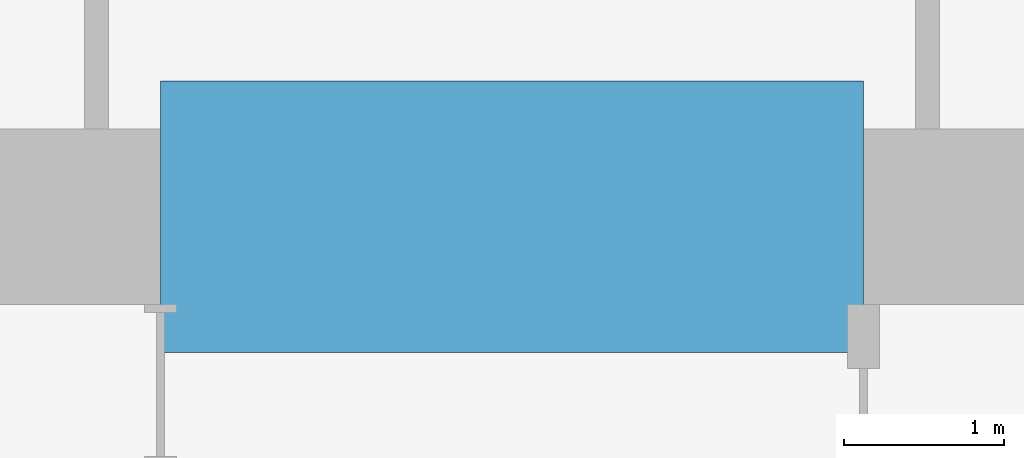
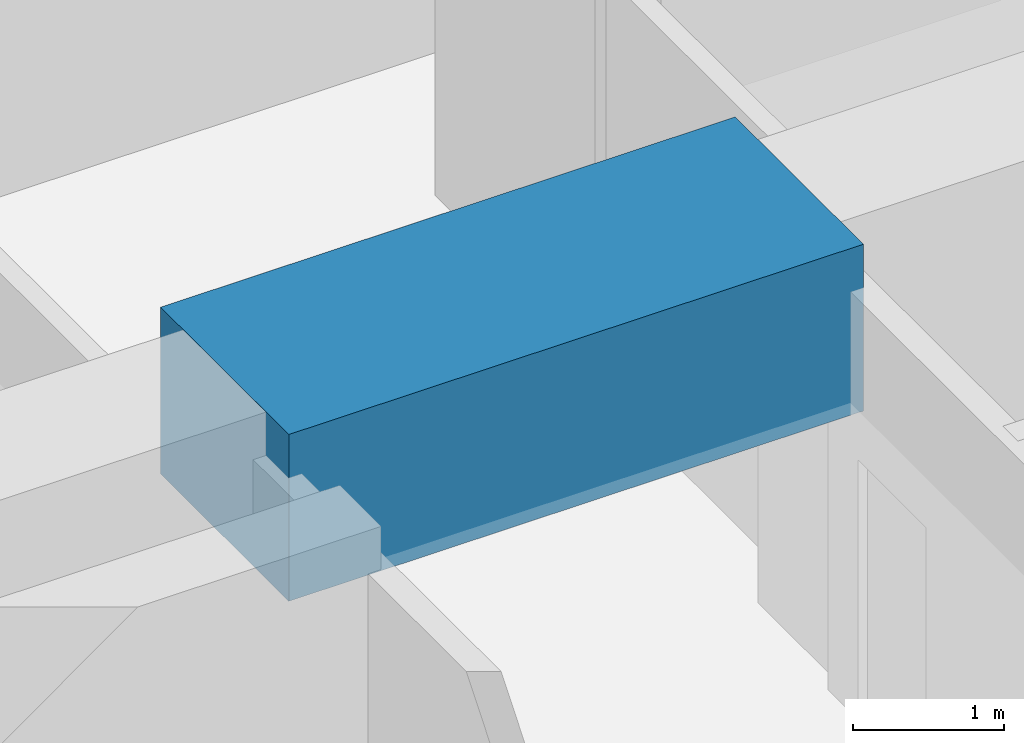
# One storey, part 19 of 44: 1 beam.
"""IFC4 building model written with IfcOpenShell, lengths in metres."""

from ifc_helpers import new_model, si_unit, direction, frame, origin, origin_2d, place, context, subcontext, project, spatial, rectangle, extrude, material, material_profile, profile_set, type_object, element, save


model = new_model("IFC4")

# Units and contexts
model_context = context("Model", 3, precision=1e-05, world=origin(), true_north=direction((0.0, 1.0)))
body_context = subcontext(model_context, "Body", "Model", "MODEL_VIEW")
ifc_project = project(units=[si_unit("LENGTHUNIT", "METRE"), si_unit("AREAUNIT", "SQUARE_METRE"), si_unit("VOLUMEUNIT", "CUBIC_METRE"), si_unit("PLANEANGLEUNIT", "RADIAN"), si_unit("MASSUNIT", "GRAM", prefix="KILO")], contexts=[model_context])

# Site, building, storey
site_placement = place(None, origin())
site = spatial("IfcSite", under=ifc_project, at=site_placement, CompositionType="ELEMENT")
building_placement = place(site_placement, origin())
building = spatial("IfcBuilding", under=site, at=building_placement, Name="Rekha Terrace Tower", CompositionType="ELEMENT")
storey_placement = place(building_placement, frame((0.0, 0.0, 81.64990234375)))
storey = spatial("IfcBuildingStorey", under=building, at=storey_placement, Name="L20", CompositionType="ELEMENT", Elevation=81.64990234375)

# Beam
ifc_material = material(Name="Concrete M70", Category="concrete")
ifc_material_profile = material_profile(ifc_material, rectangle(XDim=1.699951171875, YDim=1.35009765625, at=origin_2d()), Name="RC 1700x1350")
ifc_profile_set = profile_set([ifc_material_profile], Name="Concrete M70")
beam_type = type_object("IfcBeamType", Name="LB1A 1700x1350 diagonally reinforced coupling beam", PredefinedType="LINTEL", material=ifc_profile_set)
beam_placement = place(storey_placement, frame((35.60009765625, 46.199951171875, 3.0751953125), z_axis=(1.0, 0.0, 0.0), x_axis=(0.0, 1.0, 0.0)))
element("IfcBeam", 1, at=beam_placement, inside=storey, type_object=beam_type, Name="Coupling beam LB1A N L20", PredefinedType="LINTEL", context=body_context, shape_type="SweptSolid", body=[
    extrude(rectangle(XDim=1.699951171875, YDim=1.35009765625, at=origin_2d()), origin(), (0.0, 0.0, 1.0), 4.39990234375),
])

save(model, "model.ifc")
